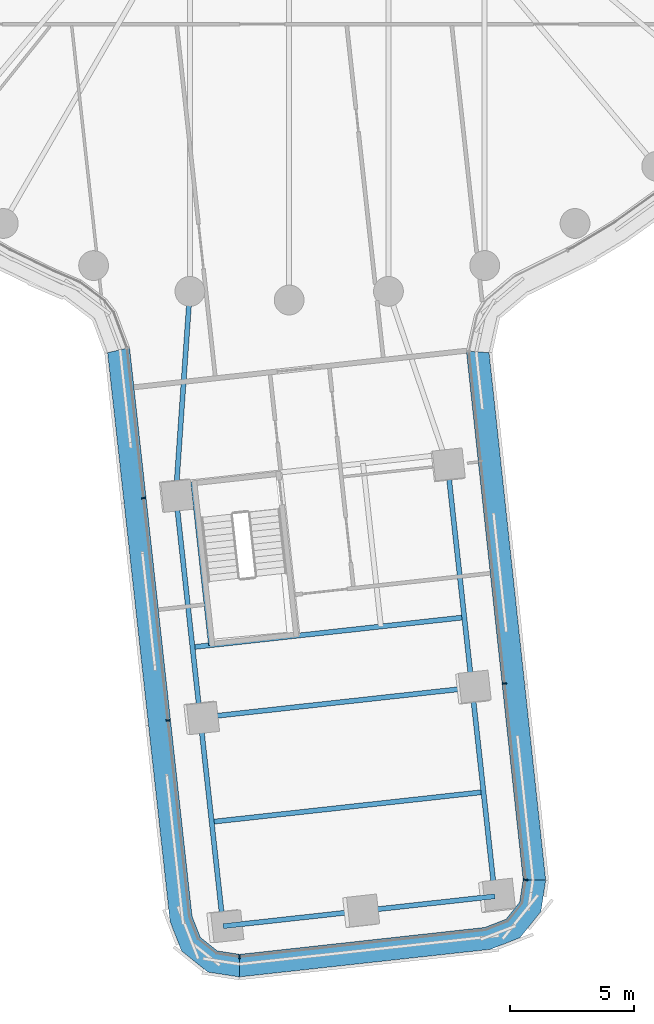
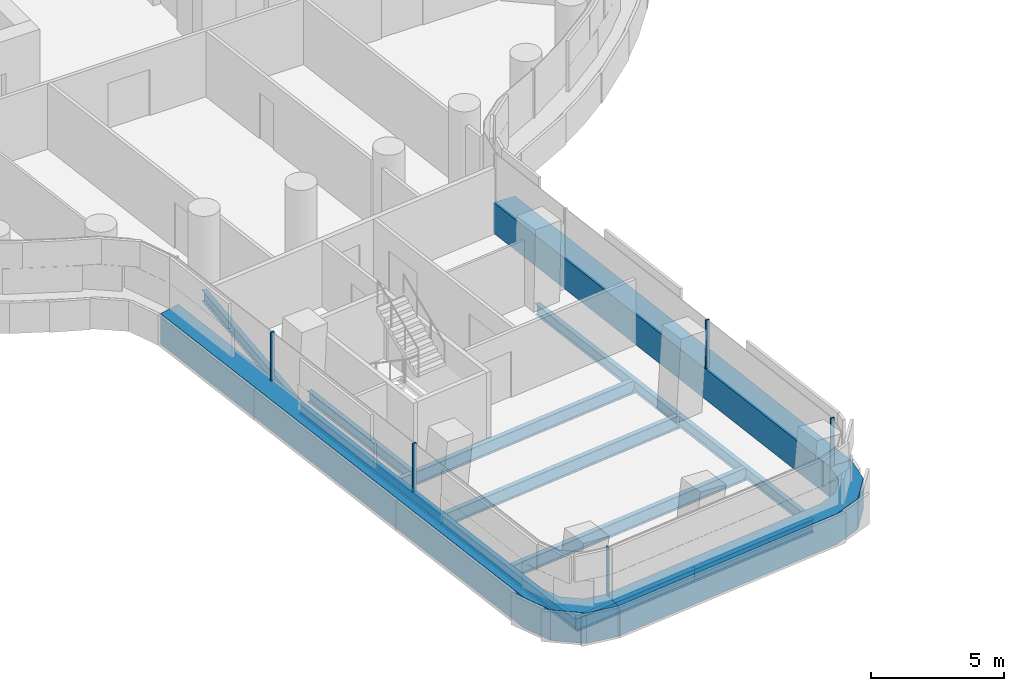
# One storey, part 2 of 31: 11 beams, 8 members, 3 elements without a shape of their own.
"""IFC4 building model written with IfcOpenShell, lengths in metres."""

import ifcopenshell
import ifcopenshell.guid

model = None  # the IFC model being written
_history = None  # IfcOwnerHistory: only IFC2X3 demands one
_inside = {}  # id of a spatial element -> (the spatial element, [elements in it])
_under = {}  # id of a project, library or spatial element -> (it, [spatial elements below it])
_declared = {}  # id of a project -> (the project, [libraries it declares])
_typed = {}  # id of a type object -> (the type object, [elements of that type])
_made_of = {}  # id of a material, layer set ... -> (it, [elements and type objects made of it])


def new_model(schema):
    """Start an empty IFC model of exactly this schema.

    Asked for "IFC4X3", IfcOpenShell would pick the latest addendum, in which some entities
    have other attributes; the version numbers below select the first issue.
    IFC2X3 requires an IfcOwnerHistory on every rooted entity: one is made here for all.
    """
    global model, _history
    if schema == "IFC4X3":
        model = ifcopenshell.file(schema_version=(4, 3, 0, 0))
    else:
        model = ifcopenshell.file(schema=schema)
    _inside.clear()
    _under.clear()
    _declared.clear()
    _typed.clear()
    _made_of.clear()
    _history = None
    if model.schema == "IFC2X3":
        org = make("IfcOrganization", Name="unknown")
        user = make(
            "IfcPersonAndOrganization",
            ThePerson=make("IfcPerson", FamilyName="unknown"),
            TheOrganization=org,
        )
        app = make(
            "IfcApplication",
            ApplicationDeveloper=org,
            Version="unknown",
            ApplicationFullName="unknown",
            ApplicationIdentifier="unknown",
        )
        _history = make(
            "IfcOwnerHistory",
            OwningUser=user,
            OwningApplication=app,
            ChangeAction="ADDED",
            CreationDate=0,
        )
    return model


def make(cls, **values):
    """One entity of the class cls with the attributes given. An attribute that is None is left unset."""
    return model.create_entity(
        cls, **{name: value for name, value in values.items() if value is not None}
    )


def rooted(cls, **values):
    """An entity with a GlobalId (a new one), such as an element, a storey or a relation."""
    return make(cls, GlobalId=ifcopenshell.guid.new(), OwnerHistory=_history, **values)


def si_unit(unit_type, name, prefix=None):
    """IfcSIUnit, for example si_unit("LENGTHUNIT", "METRE", prefix="MILLI")."""
    return make("IfcSIUnit", UnitType=unit_type, Prefix=prefix, Name=name)


def assignment(units):
    """IfcUnitAssignment: the units of a project."""
    return None if units is None else make("IfcUnitAssignment", Units=units)


def point(xyz):
    """IfcCartesianPoint."""
    return None if xyz is None else make("IfcCartesianPoint", Coordinates=xyz)


def direction(xyz):
    """IfcDirection."""
    return None if xyz is None else make("IfcDirection", DirectionRatios=xyz)


def frame(location, z_axis=None, x_axis=None):
    """IfcAxis2Placement3D, a coordinate frame: its origin and axes. An axis left out is left unset."""
    return make(
        "IfcAxis2Placement3D",
        Location=point(location),
        Axis=direction(z_axis),
        RefDirection=direction(x_axis),
    )


def frame_2d(location, x_axis=None):
    """IfcAxis2Placement2D, a coordinate frame in the plane: its origin and x axis."""
    return make(
        "IfcAxis2Placement2D", Location=point(location), RefDirection=direction(x_axis)
    )


def origin():
    """The frame at (0, 0, 0) with its axes left unset."""
    return frame((0.0, 0.0, 0.0))


def origin_2d():
    """The frame at (0, 0) in the plane with its x axis left unset."""
    return frame_2d((0.0, 0.0))


def place(relative_to, where):
    """IfcLocalPlacement: puts the frame where relative to a parent placement (None: the world)."""
    return make(
        "IfcLocalPlacement", PlacementRelTo=relative_to, RelativePlacement=where
    )


def context(
    kind, dimensions, precision=None, world=None, true_north=None, identifier=None
):
    """IfcGeometricRepresentationContext, for example the 3D "Model" context."""
    return make(
        "IfcGeometricRepresentationContext",
        ContextIdentifier=identifier,
        ContextType=kind,
        CoordinateSpaceDimension=dimensions,
        Precision=precision,
        WorldCoordinateSystem=world,
        TrueNorth=true_north,
    )


def subcontext(parent, identifier, kind, view, scale=None):
    """IfcGeometricRepresentationSubContext, for example "Body" below "Model"."""
    return make(
        "IfcGeometricRepresentationSubContext",
        ContextIdentifier=identifier,
        ContextType=kind,
        ParentContext=parent,
        TargetScale=scale,
        TargetView=view,
    )


def project(units=None, contexts=None):
    """IfcProject with its units and contexts."""
    return rooted(
        "IfcProject",
        Name="project",
        RepresentationContexts=contexts,
        UnitsInContext=assignment(units),
    )


def spatial(cls, under=None, at=None, **own):
    """A site, building, storey or space (cls), placed at a placement, below another one or the project."""
    s = rooted(cls, ObjectPlacement=at, **own)
    if under is not None:
        _under.setdefault(under.id(), (under, []))[1].append(s)
    return s


def polyline(points):
    """IfcPolyline through the points."""
    return make("IfcPolyline", Points=[point(p) for p in points])


def profile(cls, at=None, kind="AREA", **sizes):
    """A parametric profile (cls). Its sizes go by their IFC names, for example OverallWidth=200.0."""
    return make(cls, ProfileType=kind, Position=at, **sizes)


def rectangle(**sizes):
    """IfcRectangleProfileDef."""
    return profile("IfcRectangleProfileDef", **sizes)


def i_section(**sizes):
    """IfcIShapeProfileDef."""
    return profile("IfcIShapeProfileDef", **sizes)


def outline(outer, holes=None, kind="AREA"):
    """IfcArbitraryClosedProfileDef: a profile drawn as a closed curve; with holes, ...WithVoids."""
    if holes is None:
        return make("IfcArbitraryClosedProfileDef", ProfileType=kind, OuterCurve=outer)
    return make(
        "IfcArbitraryProfileDefWithVoids",
        ProfileType=kind,
        OuterCurve=outer,
        InnerCurves=holes,
    )


def extrude(swept, where, along, depth):
    """IfcExtrudedAreaSolid: the profile swept, set in the frame where, extruded along a direction by depth."""
    return make(
        "IfcExtrudedAreaSolid",
        SweptArea=swept,
        Position=where,
        ExtrudedDirection=direction(along),
        Depth=depth,
    )


def shape(context_of_items, identifier, shape_type, items):
    """IfcShapeRepresentation: the items that make up one representation, for example the "Body"."""
    return make(
        "IfcShapeRepresentation",
        ContextOfItems=context_of_items,
        RepresentationIdentifier=identifier,
        RepresentationType=shape_type,
        Items=items,
    )


def material(Name=None, Category=None):
    """IfcMaterial."""
    return make("IfcMaterial", Name=Name, Category=Category)


def layer(
    of_material, thickness, ventilated=None, Name=None, Category=None, Priority=None
):
    """IfcMaterialLayer: one layer of a wall or slab, of a material (None: an air gap)."""
    return make(
        "IfcMaterialLayer",
        Material=of_material,
        LayerThickness=thickness,
        IsVentilated=ventilated,
        Name=Name,
        Category=Category,
        Priority=Priority,
    )


def layer_set(layers, Name=None):
    """IfcMaterialLayerSet."""
    return make("IfcMaterialLayerSet", MaterialLayers=layers, LayerSetName=Name)


def material_profile(
    of_material, cross_section, Name=None, Category=None, Priority=None
):
    """IfcMaterialProfile: a cross section and its material."""
    return make(
        "IfcMaterialProfile",
        Name=Name,
        Material=of_material,
        Profile=cross_section,
        Priority=Priority,
        Category=Category,
    )


def profile_set(profiles, Name=None, composite=None):
    """IfcMaterialProfileSet."""
    return make(
        "IfcMaterialProfileSet",
        Name=Name,
        MaterialProfiles=profiles,
        CompositeProfile=composite,
    )


def made_of(thing, what):
    """Note that an element or type object is made of a material, layer set ...; save() writes the relation."""
    if what is not None:
        _made_of.setdefault(what.id(), (what, []))[1].append(thing)
    return thing


def type_object(cls, material=None, **own):
    """A type object (cls), such as IfcWallType, which elements share."""
    return made_of(rooted(cls, **own), material)


def element(
    cls,
    number,
    at=None,
    inside=None,
    cuts=None,
    type_object=None,
    material=None,
    context=None,
    identifier="Body",
    shape_type=None,
    held_by="IfcProductDefinitionShape",
    body=None,
    shapes=None,
    **own,
):
    """One element of the class cls, such as IfcWall. Its Tag is "e" and its number.

    at: its placement. inside: the storey or other place that contains it. cuts: it is an
    opening in that element (IfcRelVoidsElement). A single representation is given by context,
    identifier, shape_type and body (its items); several are given by shapes. held_by: the class
    of the entity that holds the representations. save() writes the other relations.
    """
    e = rooted(cls, Tag="e%d" % number, ObjectPlacement=at, **own)
    if body is not None:
        shapes = [shape(context, identifier, shape_type, body)]
    if shapes is not None:
        e.Representation = make(held_by, Representations=shapes)
    if inside is not None:
        _inside.setdefault(inside.id(), (inside, []))[1].append(e)
    if cuts is not None:
        rooted(
            "IfcRelVoidsElement", RelatingBuildingElement=cuts, RelatedOpeningElement=e
        )
    if type_object is not None:
        _typed.setdefault(type_object.id(), (type_object, []))[1].append(e)
    return made_of(e, material)


def aggregate(whole, parts):
    """IfcRelAggregates: a whole, such as a stair, and the parts it consists of."""
    return rooted("IfcRelAggregates", RelatingObject=whole, RelatedObjects=parts)


def save(model, path):
    """Write the relations noted so far, then the file.

    IfcRelAggregates (storeys below a building ...), IfcRelContainedInSpatialStructure (elements
    in a storey), IfcRelDefinesByType, IfcRelAssociatesMaterial and IfcRelDeclares: one each for
    every whole, place, type object, material and project.
    """
    for whole, parts in _under.values():
        aggregate(whole, parts)
    for where, things in _inside.values():
        rooted(
            "IfcRelContainedInSpatialStructure",
            RelatedElements=things,
            RelatingStructure=where,
        )
    for kind, things in _typed.values():
        rooted("IfcRelDefinesByType", RelatedObjects=things, RelatingType=kind)
    for what, things in _made_of.values():
        rooted("IfcRelAssociatesMaterial", RelatedObjects=things, RelatingMaterial=what)
    for by, libraries in _declared.values():
        rooted("IfcRelDeclares", RelatingContext=by, RelatedDefinitions=libraries)
    model.write(path)


model = new_model("IFC4")

# Units and contexts
model_context = context("Model", 3, precision=1e-05, world=origin(), true_north=direction((0.0, 1.0)))
body_context = subcontext(model_context, "Body", "Model", "MODEL_VIEW")
ifc_project = project(units=[si_unit("LENGTHUNIT", "METRE"), si_unit("AREAUNIT", "SQUARE_METRE"), si_unit("VOLUMEUNIT", "CUBIC_METRE"), si_unit("PLANEANGLEUNIT", "RADIAN"), si_unit("MASSUNIT", "GRAM", prefix="KILO")], contexts=[model_context])

# Site, building, storey
site_placement = place(None, origin())
site = spatial("IfcSite", under=ifc_project, at=site_placement, CompositionType="ELEMENT")
building_placement = place(site_placement, origin())
building = spatial("IfcBuilding", under=site, at=building_placement, Name="Tamarind Cross Interchange Tower", CompositionType="ELEMENT")
storey_placement = place(building_placement, frame((0.0, 0.0, 56.5)))
storey = spatial("IfcBuildingStorey", under=building, at=storey_placement, Name="L12", CompositionType="ELEMENT", Elevation=56.5)

# Beams
ifc_material_1 = material(Name="Steel Q355B", Category="steel")
ifc_material_profile_1 = material_profile(ifc_material_1, i_section(OverallWidth=0.198974609375, OverallDepth=0.49609375, WebThickness=0.009033203125, FlangeThickness=0.013916015625, FilletRadius=0.012939453125, at=origin_2d()), Name="HN 496x199x9x14")
ifc_profile_set_1 = profile_set([ifc_material_profile_1], Name="Steel Q355B")
beam_type_1 = type_object("IfcBeamType", Name="Composite beam HN 496x199x9x14 Q355B", PredefinedType="BEAM", material=ifc_profile_set_1)
beam_1_placement = place(storey_placement, frame((-2.656494140625, -48.186279296875, -0.387939453125), z_axis=(-0.109202712726, 0.99401950058, 0.0), x_axis=(-0.99401950058, -0.109202712726, 0.0)))
element("IfcBeam", 1, at=beam_1_placement, inside=storey, type_object=beam_type_1, Name="Beam S-edgeem5", PredefinedType="BEAM", context=body_context, shape_type="SweptSolid", body=[
    extrude(i_section(OverallWidth=0.198974609375, OverallDepth=0.49609375, WebThickness=0.009033203125, FlangeThickness=0.013916015625, FilletRadius=0.012939453125, at=origin_2d()), origin(), (0.0, 0.0, 1.0), 8.439697265625),
])
beam_2_placement = place(storey_placement, frame((-3.578125, -39.797119140625, -0.387939453125), z_axis=(-0.109183953287, 0.994021561308, 0.0), x_axis=(-0.994021561308, -0.109183953287, 0.0)))
element("IfcBeam", 2, at=beam_2_placement, inside=storey, type_object=beam_type_1, Name="Beam S-edgeem6", PredefinedType="BEAM", context=body_context, shape_type="SweptSolid", body=[
    extrude(i_section(OverallWidth=0.198974609375, OverallDepth=0.49609375, WebThickness=0.009033203125, FlangeThickness=0.013916015625, FilletRadius=0.012939453125, at=origin_2d()), origin(), (0.0, 0.0, 1.0), 9.0),
])
beam_3_placement = place(storey_placement, frame((8.277587890625, -46.985107421875, -0.387939453125), z_axis=(-0.109174129691, 0.994022640289, 0.0), x_axis=(-0.994022640289, -0.109174129691, 0.0)))
element("IfcBeam", 3, at=beam_3_placement, inside=storey, type_object=beam_type_1, Name="Beam S-edgeep2", PredefinedType="BEAM", context=body_context, shape_type="SweptSolid", body=[
    extrude(i_section(OverallWidth=0.198974609375, OverallDepth=0.49609375, WebThickness=0.009033203125, FlangeThickness=0.013916015625, FilletRadius=0.012939453125, at=origin_2d()), origin(), (0.0, 0.0, 1.0), 8.439697265625),
])
beam_4_placement = place(storey_placement, frame((7.356201171875, -38.595947265625, -0.387939453125), z_axis=(-0.109186897432, 0.994021237917, 0.0), x_axis=(-0.994021237917, -0.109186897432, 0.0)))
element("IfcBeam", 4, at=beam_4_placement, inside=storey, type_object=beam_type_1, Name="Beam S-edgeep3", PredefinedType="BEAM", context=body_context, shape_type="SweptSolid", body=[
    extrude(i_section(OverallWidth=0.198974609375, OverallDepth=0.49609375, WebThickness=0.009033203125, FlangeThickness=0.013916015625, FilletRadius=0.012939453125, at=origin_2d()), origin(), (0.0, 0.0, 1.0), 8.999755859375),
])
beam_5_placement = place(storey_placement, frame((-4.560791015625, -30.850830078125, -0.387939453125), z_axis=(0.068967224801, 0.997618926195, 0.0), x_axis=(-0.997618926195, 0.068967224801, 0.0)))
element("IfcBeam", 5, at=beam_5_placement, inside=storey, type_object=beam_type_1, Name="Beam S-linkem", PredefinedType="BEAM", context=body_context, shape_type="SweptSolid", body=[
    extrude(i_section(OverallWidth=0.198974609375, OverallDepth=0.49609375, WebThickness=0.009033203125, FlangeThickness=0.013916015625, FilletRadius=0.012939453125, at=origin_2d()), origin(), (0.0, 0.0, 1.0), 8.2197265625),
])
beam_6_placement = place(storey_placement, frame((-3.864501953125, -30.32177734375, -0.387939453125), z_axis=(0.109197207173, -0.994020105403, 0.0), x_axis=(0.994020105403, 0.109197207173, 0.0)))
element("IfcBeam", 6, at=beam_6_placement, inside=storey, type_object=beam_type_1, Name="Beam S-tr0", PredefinedType="BEAM", context=body_context, shape_type="SweptSolid", body=[
    extrude(i_section(OverallWidth=0.198974609375, OverallDepth=0.49609375, WebThickness=0.009033203125, FlangeThickness=0.013916015625, FilletRadius=0.012939453125, at=origin_2d()), origin(), (0.0, 0.0, 1.0), 6.60009765625),
])
ifc_material_profile_2 = material_profile(ifc_material_1, i_section(OverallWidth=0.199951171875, OverallDepth=0.60009765625, WebThickness=0.010986328125, FlangeThickness=0.01708984375, FilletRadius=0.012939453125, at=origin_2d()), Name="HN 600x200x11x17")
ifc_profile_set_2 = profile_set([ifc_material_profile_2], Name="Steel Q355B")
beam_type_2 = type_object("IfcBeamType", Name="Composite beam HN 600x200x11x17 Q355B", PredefinedType="BEAM", material=ifc_profile_set_2)
for number, where, z_axis, x_axis, name in (
    (7, (-2.656494140625, -48.186279296875, -0.43994140625), (0.994019928967, 0.109198813257, 0.0), (-0.109198813257, 0.994019928967, 0.0), "Beam S-tip0"),
    (8, (2.810546875, -47.585693359375, -0.43994140625), (0.994019928967, 0.109198813257, 0.0), (-0.109198813257, 0.994019928967, 0.0), "Beam S-tip1"),
):
    element("IfcBeam", number, at=place(storey_placement, frame(where, z_axis=z_axis, x_axis=x_axis)), inside=storey, type_object=beam_type_2, Name=name, PredefinedType="BEAM", context=body_context, shape_type="SweptSolid", body=[
        extrude(i_section(OverallWidth=0.199951171875, OverallDepth=0.60009765625, WebThickness=0.010986328125, FlangeThickness=0.01708984375, FilletRadius=0.012939453125, at=origin_2d()), origin(), (0.0, 0.0, 1.0), 5.5),
    ])
beam_7_placement = place(storey_placement, frame((-3.88916015625, -36.964111328125, -0.43994140625), z_axis=(0.994019928967, 0.109198813257, 0.0), x_axis=(-0.109198813257, 0.994019928967, 0.0)))
element("IfcBeam", 9, at=beam_7_placement, inside=storey, type_object=beam_type_2, Name="Beam S-x364", PredefinedType="BEAM", context=body_context, shape_type="SweptSolid", body=[
    extrude(i_section(OverallWidth=0.199951171875, OverallDepth=0.60009765625, WebThickness=0.010986328125, FlangeThickness=0.01708984375, FilletRadius=0.012939453125, at=origin_2d()), origin(), (0.0, 0.0, 1.0), 10.999755859375),
])
beam_8_placement = place(storey_placement, frame((-3.578125, -39.797119140625, -0.43994140625), z_axis=(0.994020193618, 0.109196404149, 0.0), x_axis=(-0.109196404149, 0.994020193618, 0.0)))
element("IfcBeam", 10, at=beam_8_placement, inside=storey, type_object=beam_type_2, Name="Beam S-x393", PredefinedType="BEAM", context=body_context, shape_type="SweptSolid", body=[
    extrude(i_section(OverallWidth=0.199951171875, OverallDepth=0.60009765625, WebThickness=0.010986328125, FlangeThickness=0.01708984375, FilletRadius=0.012939453125, at=origin_2d()), origin(), (0.0, 0.0, 1.0), 11.0),
])
beam_9_placement = place(storey_placement, frame((-3.1171875, -43.99169921875, -0.43994140625), z_axis=(0.994019928967, 0.109198813257, 0.0), x_axis=(-0.109198813257, 0.994019928967, 0.0)))
element("IfcBeam", 11, at=beam_9_placement, inside=storey, type_object=beam_type_2, Name="Beam S-x435", PredefinedType="BEAM", context=body_context, shape_type="SweptSolid", body=[
    extrude(i_section(OverallWidth=0.199951171875, OverallDepth=0.60009765625, WebThickness=0.010986328125, FlangeThickness=0.01708984375, FilletRadius=0.012939453125, at=origin_2d()), origin(), (0.0, 0.0, 1.0), 10.999755859375),
])

# Curtain wall, member
ifc_material_2 = material(Name="Aluminium 6063-T6", Category="aluminium")
ifc_layer = layer(ifc_material_2, 0.159912109375)
ifc_layer_set = layer_set([ifc_layer], Name="Aluminium 6063-T6")
curtain_wall_type = type_object("IfcCurtainWallType", Name="Office curtain wall, 9.0 m bays", PredefinedType="NOTDEFINED", material=ifc_layer_set)
curtain_wall_1_placement = place(storey_placement, origin())
curtain_wall_1 = element("IfcCurtainWall", 12, at=curtain_wall_1_placement, inside=storey, type_object=curtain_wall_type, Name="CWS-L12-11", PredefinedType="NOTDEFINED")
ifc_material_3 = material(Name="Aluminium and insulated spandrel panel", Category="aluminium")
member_type_1 = type_object("IfcMemberType", Name="Floor-edge blade transom", PredefinedType="USERDEFINED", material=ifc_material_3)
member_1_placement = place(storey_placement, origin())
member_1 = element("IfcMember", 13, at=member_1_placement, type_object=member_type_1, Name="CWT-L12-11", ObjectType="TRANSOM", PredefinedType="USERDEFINED", context=body_context, shape_type="SweptSolid", body=[
    extrude(outline(polyline([(-6.420654296875, -24.9091796875), (-3.908203125, -47.781005859375), (-3.576171875, -48.634033203125), (-2.89404296875, -49.18115234375), (-1.9892578125, -49.320068359375), (-2.0087890625, -50.227783203125), (-3.26904296875, -50.0341796875), (-4.327392578125, -49.185302734375), (-4.7900390625, -47.9970703125), (-7.30322265625, -25.11865234375), (-6.420654296875, -24.9091796875)])), origin(), (0.0, 0.0, 1.0), 1.39990234375),
])

curtain_wall_2_placement = place(storey_placement, origin())
curtain_wall_2 = element("IfcCurtainWall", 14, at=curtain_wall_2_placement, inside=storey, type_object=curtain_wall_type, Name="CWS-L12-12", PredefinedType="NOTDEFINED")
member_2_placement = place(storey_placement, origin())
member_2 = element("IfcMember", 15, at=member_2_placement, type_object=member_type_1, Name="CWT-L12-12", ObjectType="TRANSOM", PredefinedType="USERDEFINED", context=body_context, shape_type="SweptSolid", body=[
    extrude(outline(polyline([(-1.9892578125, -49.320068359375), (7.87255859375, -48.23681640625), (8.7255859375, -47.90478515625), (9.272705078125, -47.22265625), (9.41162109375, -46.3173828125), (10.319091796875, -46.338134765625), (10.125732421875, -47.59765625), (9.276611328125, -48.656005859375), (8.088623046875, -49.118408203125), (-2.0087890625, -50.227783203125), (-1.9892578125, -49.320068359375)])), origin(), (0.0, 0.0, 1.0), 1.39990234375),
])

curtain_wall_3_placement = place(storey_placement, origin())
curtain_wall_3 = element("IfcCurtainWall", 16, at=curtain_wall_3_placement, inside=storey, type_object=curtain_wall_type, Name="CWS-L12-13", PredefinedType="NOTDEFINED")
member_3_placement = place(storey_placement, origin())
member_3 = element("IfcMember", 17, at=member_3_placement, type_object=member_type_1, Name="CWT-L12-13", ObjectType="TRANSOM", PredefinedType="USERDEFINED", context=body_context, shape_type="SweptSolid", body=[
    extrude(outline(polyline([(9.41162109375, -46.3173828125), (7.129638671875, -25.061279296875), (8.040283203125, -25.111572265625), (10.319091796875, -46.338134765625), (9.41162109375, -46.3173828125)])), origin(), (0.0, 0.0, 1.0), 1.39990234375),
])

# Member
ifc_material_profile_3 = material_profile(ifc_material_2, rectangle(XDim=0.06005859375, YDim=0.159912109375, at=origin_2d()), Name="Mullion CW1")
ifc_profile_set_3 = profile_set([ifc_material_profile_3], Name="Aluminium 6063-T6")
member_type_2 = type_object("IfcMemberType", Name="Mullion CW1", PredefinedType="MULLION", material=ifc_profile_set_3)
member_4_placement = place(storey_placement, frame((-5.855712890625, -30.9677734375, 1.39990234375), z_axis=(0.0, 0.0, 1.0), x_axis=(0.109193040639, -0.994020563105, 0.0)))
member_4 = element("IfcMember", 18, at=member_4_placement, type_object=member_type_2, Name="CWM-L12-11-01", PredefinedType="MULLION", context=body_context, shape_type="SweptSolid", body=[
    extrude(rectangle(XDim=0.06005859375, YDim=0.159912109375, at=origin_2d()), origin(), (0.0, 0.0, 1.0), 2.210205078125),
])

member_5_placement = place(storey_placement, frame((-4.873046875, -39.913330078125, 1.39990234375), z_axis=(0.0, 0.0, 1.0), x_axis=(0.109193040639, -0.994020563105, 0.0)))
member_5 = element("IfcMember", 19, at=member_5_placement, type_object=member_type_2, Name="CWM-L12-11-02", PredefinedType="MULLION", context=body_context, shape_type="SweptSolid", body=[
    extrude(rectangle(XDim=0.06005859375, YDim=0.159912109375, at=origin_2d()), origin(), (0.0, 0.0, 1.0), 2.210205078125),
])

aggregate(curtain_wall_1, [member_4, member_5, member_1])

member_6_placement = place(storey_placement, frame((-1.991455078125, -49.4208984375, 1.39990234375), z_axis=(0.0, 0.0, 1.0), x_axis=(0.999769131202, -0.021486840051, 0.0)))
member_6 = element("IfcMember", 20, at=member_6_placement, type_object=member_type_2, Name="CWM-L12-12-00", PredefinedType="MULLION", context=body_context, shape_type="SweptSolid", body=[
    extrude(rectangle(XDim=0.06005859375, YDim=0.159912109375, at=origin_2d()), origin(), (0.0, 0.0, 1.0), 2.210205078125),
])

aggregate(curtain_wall_2, [member_6, member_2])

member_7_placement = place(storey_placement, frame((9.512451171875, -46.31982421875, 1.39990234375), z_axis=(0.0, 0.0, 1.0), x_axis=(0.022718454701, 0.999741902601, 0.0)))
member_7 = element("IfcMember", 21, at=member_7_placement, type_object=member_type_2, Name="CWM-L12-13-00", PredefinedType="MULLION", context=body_context, shape_type="SweptSolid", body=[
    extrude(rectangle(XDim=0.06005859375, YDim=0.159912109375, at=origin_2d()), origin(), (0.0, 0.0, 1.0), 2.210205078125),
])

member_8_placement = place(storey_placement, frame((8.664794921875, -38.423095703125, 1.39990234375), z_axis=(0.0, 0.0, 1.0), x_axis=(-0.106743612679, 0.994286578986, 0.0)))
member_8 = element("IfcMember", 22, at=member_8_placement, type_object=member_type_2, Name="CWM-L12-13-01", PredefinedType="MULLION", context=body_context, shape_type="SweptSolid", body=[
    extrude(rectangle(XDim=0.06005859375, YDim=0.159912109375, at=origin_2d()), origin(), (0.0, 0.0, 1.0), 2.210205078125),
])

aggregate(curtain_wall_3, [member_7, member_8, member_3])

save(model, "model.ifc")
